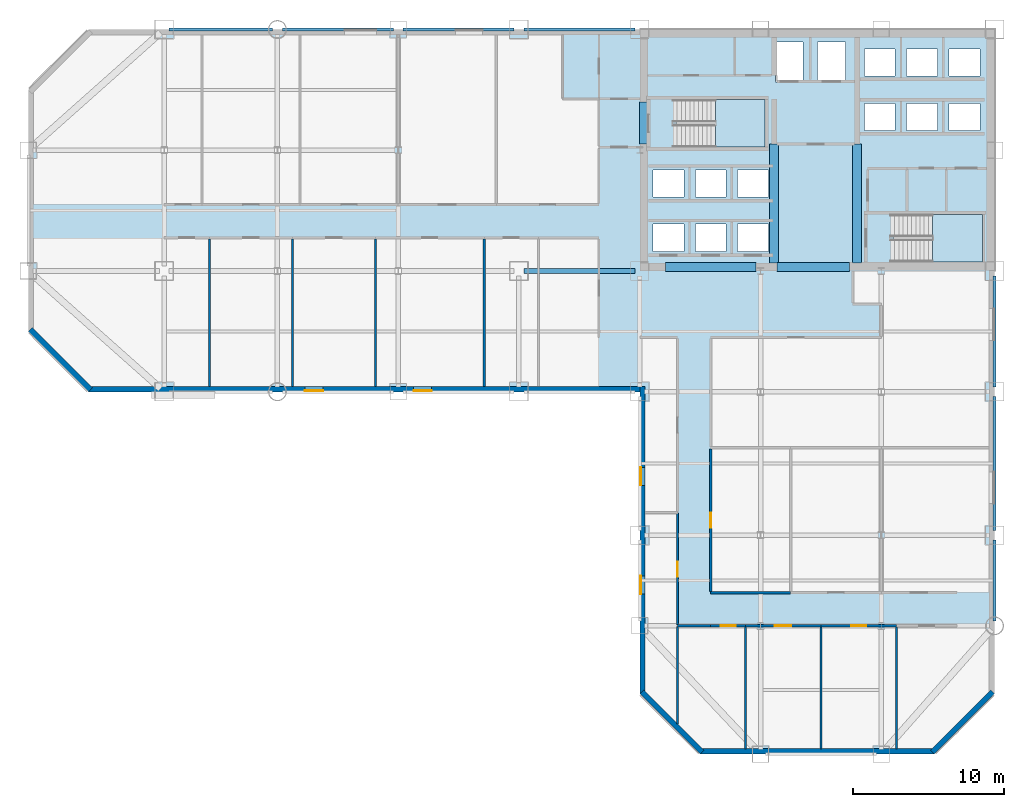
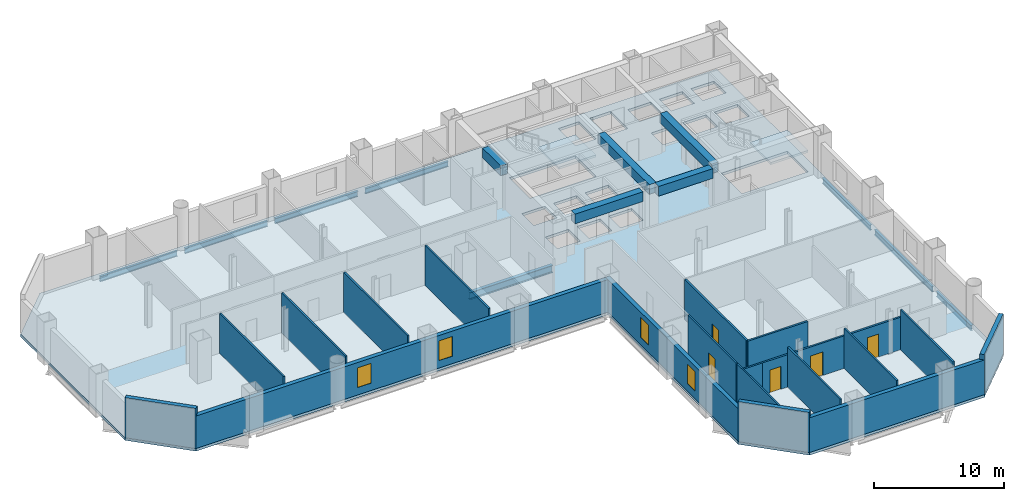
# One storey, part 4 of 9: 21 walls, 13 beams, 5 doors, 4 windows, 3 slabs, 9 openings, 2 elements without a shape of their own.
"""IFC4 building model written with IfcOpenShell, lengths in metres."""

from ifc_helpers import new_model, si_unit, direction, frame, frame_2d, origin, origin_2d, place, context, subcontext, project, spatial, polyline, rectangle, i_section, outline, extrude, material, layer, layer_set, material_profile, profile_set, type_object, element, fill, aggregate, save


model = new_model("IFC4")

# Units and contexts
model_context = context("Model", 3, precision=1e-05, world=origin(), true_north=direction((0.0, 1.0)))
body_context = subcontext(model_context, "Body", "Model", "MODEL_VIEW")
ifc_project = project(units=[si_unit("LENGTHUNIT", "METRE"), si_unit("AREAUNIT", "SQUARE_METRE"), si_unit("VOLUMEUNIT", "CUBIC_METRE"), si_unit("PLANEANGLEUNIT", "RADIAN"), si_unit("MASSUNIT", "GRAM", prefix="KILO")], contexts=[model_context])

# Site, building, storey
site_placement = place(None, origin())
site = spatial("IfcSite", under=ifc_project, at=site_placement, CompositionType="ELEMENT")
building_placement = place(site_placement, origin())
building = spatial("IfcBuilding", under=site, at=building_placement, Name="Qianrong Seaharbour Tower", CompositionType="ELEMENT")
storey_placement = place(building_placement, frame((0.0, 0.0, 92.199951171875)))
storey = spatial("IfcBuildingStorey", under=building, at=storey_placement, Name="L22", CompositionType="ELEMENT", Elevation=92.199951171875)

# Beams
ifc_material_1 = material(Name="Structural steel SN490B", Category="steel")
ifc_material_profile_1 = material_profile(ifc_material_1, i_section(OverallWidth=0.300048828125, OverallDepth=0.699951171875, WebThickness=0.012939453125, FlangeThickness=0.02392578125, FilletRadius=0.02587890625, at=origin_2d()), Name="H700x300x13x24")
ifc_profile_set_1 = profile_set([ifc_material_profile_1], Name="Structural steel SN490B")
beam_type_1 = type_object("IfcBeamType", Name="BM-G-700", PredefinedType="BEAM", material=ifc_profile_set_1)
beam_1_placement = place(storey_placement, frame((32.820068359375, 36.0, -0.599853515625), z_axis=(1.0, 0.0, 0.0), x_axis=(0.0, 1.0, 0.0)))
element("IfcBeam", 1, at=beam_1_placement, inside=storey, type_object=beam_type_1, Name="L22 Primary Girder GF G5-G6", PredefinedType="BEAM", context=body_context, shape_type="SweptSolid", body=[
    extrude(i_section(OverallWidth=0.300048828125, OverallDepth=0.699951171875, WebThickness=0.012939453125, FlangeThickness=0.02392578125, FilletRadius=0.02587890625, at=origin_2d()), origin(), (0.0, 0.0, 1.0), 7.35986328125),
])
ifc_material_2 = material(Name="Concrete C70/85", Category="concrete")
ifc_material_profile_2 = material_profile(ifc_material_2, rectangle(XDim=0.60009765625, YDim=0.89990234375, at=origin_2d()), Name="RC600x900")
ifc_profile_set_2 = profile_set([ifc_material_profile_2], Name="Concrete C70/85")
beam_type_2 = type_object("IfcBeamType", Name="BM-LINTEL-900", PredefinedType="LINTEL", material=ifc_profile_set_2)
beam_2_placement = place(storey_placement, frame((40.77001953125, 44.39990234375, 3.300048828125), z_axis=(0.0, 1.0, 0.0), x_axis=(-1.0, 0.0, 0.0)))
element("IfcBeam", 2, at=beam_2_placement, inside=storey, type_object=beam_type_2, Name="L22 Core Coupling Lintel Beam West", PredefinedType="LINTEL", context=body_context, shape_type="SweptSolid", body=[
    extrude(rectangle(XDim=0.60009765625, YDim=0.89990234375, at=origin_2d()), origin(), (0.0, 0.0, 1.0), 2.800048828125),
])
beam_3_placement = place(storey_placement, frame((42.199951171875, 36.27001953125, 3.300048828125), z_axis=(1.0, 0.0, 0.0), x_axis=(0.0, 1.0, 0.0)))
element("IfcBeam", 3, at=beam_3_placement, inside=storey, type_object=beam_type_2, Name="L22 Core Coupling Lintel Beam CBW", PredefinedType="LINTEL", context=body_context, shape_type="SweptSolid", body=[
    extrude(rectangle(XDim=0.60009765625, YDim=0.89990234375, at=origin_2d()), origin(), (0.0, 0.0, 1.0), 6.0),
])
beam_4_placement = place(storey_placement, frame((49.60009765625, 36.27001953125, 3.300048828125), z_axis=(1.0, 0.0, 0.0), x_axis=(0.0, 1.0, 0.0)))
element("IfcBeam", 4, at=beam_4_placement, inside=storey, type_object=beam_type_2, Name="L22 Core Coupling Lintel Beam CBC", PredefinedType="LINTEL", context=body_context, shape_type="SweptSolid", body=[
    extrude(rectangle(XDim=0.60009765625, YDim=0.89990234375, at=origin_2d()), origin(), (0.0, 0.0, 1.0), 4.7998046875),
])
for number, where, z_axis, x_axis, name in (
    (5, (49.39990234375, 36.5400390625, 3.300048828125), (0.0, 1.0, 0.0), (-1.0, 0.0, 0.0), "L22 Internal Core Coupling Beam IW1"),
    (6, (54.89990234375, 36.5400390625, 3.300048828125), (0.0, 1.0, 0.0), (-1.0, 0.0, 0.0), "L22 Internal Core Coupling Beam IW2"),
):
    element("IfcBeam", number, at=place(storey_placement, frame(where, z_axis=z_axis, x_axis=x_axis)), inside=storey, type_object=beam_type_2, Name=name, PredefinedType="LINTEL", context=body_context, shape_type="SweptSolid", body=[
        extrude(rectangle(XDim=0.60009765625, YDim=0.89990234375, at=origin_2d()), origin(), (0.0, 0.0, 1.0), 7.85986328125),
    ])
ifc_material_profile_3 = material_profile(ifc_material_1, i_section(OverallWidth=0.199951171875, OverallDepth=0.5, WebThickness=0.010009765625, FlangeThickness=0.01611328125, FilletRadius=0.02001953125, at=origin_2d()), Name="H500x200x10x16")
ifc_profile_set_3 = profile_set([ifc_material_profile_3], Name="Structural steel SN490B")
beam_type_3 = type_object("IfcBeamType", Name="BM-SP-500", PredefinedType="SPANDREL", material=ifc_profile_set_3)
beam_5_placement = place(storey_placement, frame((9.320068359375, 52.0, -0.5), z_axis=(1.0, 0.0, 0.0), x_axis=(0.0, 1.0, 0.0)))
element("IfcBeam", 7, at=beam_5_placement, inside=storey, type_object=beam_type_3, Name="L22 Spandrel Girder GH G2-G3", PredefinedType="SPANDREL", context=body_context, shape_type="SweptSolid", body=[
    extrude(i_section(OverallWidth=0.199951171875, OverallDepth=0.5, WebThickness=0.010009765625, FlangeThickness=0.01611328125, FilletRadius=0.02001953125, at=origin_2d()), origin(), (0.0, 0.0, 1.0), 6.85986328125),
])
for number, where, z_axis, x_axis, name in (
    (8, (16.820068359375, 52.0, -0.5), (1.0, 0.0, 0.0), (0.0, 1.0, 0.0), "L22 Spandrel Girder GH G3-G4"),
    (9, (24.820068359375, 52.0, -0.5), (1.0, 0.0, 0.0), (0.0, 1.0, 0.0), "L22 Spandrel Girder GH G4-G5"),
    (10, (32.820068359375, 52.0, -0.5), (1.0, 0.0, 0.0), (0.0, 1.0, 0.0), "L22 Spandrel Girder GH G5-G6"),
):
    element("IfcBeam", number, at=place(storey_placement, frame(where, z_axis=z_axis, x_axis=x_axis)), inside=storey, type_object=beam_type_3, Name=name, PredefinedType="SPANDREL", context=body_context, shape_type="SweptSolid", body=[
        extrude(i_section(OverallWidth=0.199951171875, OverallDepth=0.5, WebThickness=0.010009765625, FlangeThickness=0.01611328125, FilletRadius=0.02001953125, at=origin_2d()), origin(), (0.0, 0.0, 1.0), 7.35986328125),
    ])
beam_6_placement = place(storey_placement, frame((64.0, 12.820068359375, -0.5), z_axis=(0.0, 1.0, 0.0), x_axis=(-1.0, 0.0, 0.0)))
element("IfcBeam", 11, at=beam_6_placement, inside=storey, type_object=beam_type_3, Name="L22 Spandrel Girder G9 GC-GD", PredefinedType="SPANDREL", context=body_context, shape_type="SweptSolid", body=[
    extrude(i_section(OverallWidth=0.199951171875, OverallDepth=0.5, WebThickness=0.010009765625, FlangeThickness=0.01611328125, FilletRadius=0.02001953125, at=origin_2d()), origin(), (0.0, 0.0, 1.0), 5.35986328125),
])
beam_7_placement = place(storey_placement, frame((64.0, 18.820068359375, -0.5), z_axis=(0.0, 1.0, 0.0), x_axis=(-1.0, 0.0, 0.0)))
element("IfcBeam", 12, at=beam_7_placement, inside=storey, type_object=beam_type_3, Name="L22 Spandrel Girder G9 GD-GE", PredefinedType="SPANDREL", context=body_context, shape_type="SweptSolid", body=[
    extrude(i_section(OverallWidth=0.199951171875, OverallDepth=0.5, WebThickness=0.010009765625, FlangeThickness=0.01611328125, FilletRadius=0.02001953125, at=origin_2d()), origin(), (0.0, 0.0, 1.0), 8.85986328125),
])
beam_8_placement = place(storey_placement, frame((64.0, 28.320068359375, -0.5), z_axis=(0.0, 1.0, 0.0), x_axis=(-1.0, 0.0, 0.0)))
element("IfcBeam", 13, at=beam_8_placement, inside=storey, type_object=beam_type_3, Name="L22 Spandrel Girder G9 GE-GF", PredefinedType="SPANDREL", context=body_context, shape_type="SweptSolid", body=[
    extrude(i_section(OverallWidth=0.199951171875, OverallDepth=0.5, WebThickness=0.010009765625, FlangeThickness=0.01611328125, FilletRadius=0.02001953125, at=origin_2d()), origin(), (0.0, 0.0, 1.0), 7.35986328125),
])

# Stair, slab
ifc_material_3 = material(Name="Concrete C50/60", Category="concrete")
stair_type = type_object("IfcStairType", Name="STAIR-DOGLEG-1500-R22", PredefinedType="HALF_TURN_STAIR", material=ifc_material_3)
stair_1_placement = place(storey_placement, origin())
stair_1 = element("IfcStair", 14, at=stair_1_placement, inside=storey, type_object=stair_type, Name="L22 Protected Escape Stair ST-1", PredefinedType="HALF_TURN_STAIR")
ifc_layer_1 = layer(ifc_material_3, 0.199951171875)
ifc_layer_set_1 = layer_set([ifc_layer_1], Name="Concrete C50/60")
slab_type_1 = type_object("IfcSlabType", Name="SLAB-STAIR-LANDING-200", PredefinedType="LANDING", material=ifc_layer_set_1)
slab_1_placement = place(storey_placement, frame((0.0, 0.0, 1.800048828125)))
slab_1 = element("IfcSlab", 15, at=slab_1_placement, type_object=slab_type_1, Name="ST-1 landing 1", PredefinedType="LANDING", context=body_context, shape_type="SweptSolid", body=[
    extrude(outline(polyline([(45.5, 44.199951171875), (48.800048828125, 44.199951171875), (48.800048828125, 47.35009765625), (45.5, 47.35009765625), (45.5, 44.199951171875)])), origin(), (0.0, 0.0, 1.0), 0.199951171875),
])
aggregate(stair_1, [slab_1])

stair_2_placement = place(storey_placement, origin())
stair_2 = element("IfcStair", 16, at=stair_2_placement, inside=storey, type_object=stair_type, Name="L22 Protected Escape Stair ST-2", PredefinedType="HALF_TURN_STAIR")
slab_2_placement = place(storey_placement, frame((0.0, 0.0, 1.800048828125)))
slab_2 = element("IfcSlab", 17, at=slab_2_placement, type_object=slab_type_1, Name="ST-2 landing 1", PredefinedType="LANDING", context=body_context, shape_type="SweptSolid", body=[
    extrude(outline(polyline([(59.89990234375, 36.60009765625), (63.199951171875, 36.60009765625), (63.199951171875, 39.75), (59.89990234375, 39.75), (59.89990234375, 36.60009765625)])), origin(), (0.0, 0.0, 1.0), 0.199951171875),
])
aggregate(stair_2, [slab_2])

# Slab
ifc_layer_2 = layer(ifc_material_3, 0.25)
ifc_layer_set_2 = layer_set([ifc_layer_2], Name="Concrete C50/60")
slab_type_2 = type_object("IfcSlabType", Name="SLAB-Z1-250", PredefinedType="FLOOR", material=ifc_layer_set_2)
slab_3_placement = place(storey_placement, frame((0.0, 0.0, -0.25)))
element("IfcSlab", 18, at=slab_3_placement, inside=storey, type_object=slab_type_2, Name="L22 Structural Floor Slab", PredefinedType="FLOOR", context=body_context, shape_type="SweptSolid", body=[
    extrude(outline(polyline([(44.5, 4.0), (60.0, 4.0), (64.0, 8.0), (64.0, 52.0), (4.0, 52.0), (0.0, 48.0), (0.0, 32.0), (4.0, 28.0), (40.5, 28.0), (40.5, 8.0), (44.5, 4.0)]), holes=[polyline([(42.93994140625, 44.199951171875), (42.93994140625, 47.35009765625), (48.800048828125, 47.35009765625), (48.800048828125, 44.199951171875), (42.93994140625, 44.199951171875)]), polyline([(57.340087890625, 36.60009765625), (57.340087890625, 39.75), (63.199951171875, 39.75), (63.199951171875, 36.60009765625), (57.340087890625, 36.60009765625)]), polyline([(49.47998046875, 48.530029296875), (49.47998046875, 51.169921875), (51.320068359375, 51.169921875), (51.320068359375, 48.530029296875), (49.47998046875, 48.530029296875)]), polyline([(52.280029296875, 48.530029296875), (52.280029296875, 51.169921875), (54.1201171875, 51.169921875), (54.1201171875, 48.530029296875), (52.280029296875, 48.530029296875)]), polyline([(41.3798828125, 37.300048828125), (41.3798828125, 39.10009765625), (43.419921875, 39.10009765625), (43.419921875, 37.300048828125), (41.3798828125, 37.300048828125)]), polyline([(44.179931640625, 37.300048828125), (44.179931640625, 39.10009765625), (46.219970703125, 39.10009765625), (46.219970703125, 37.300048828125), (44.179931640625, 37.300048828125)]), polyline([(46.97998046875, 37.300048828125), (46.97998046875, 39.10009765625), (49.02001953125, 39.10009765625), (49.02001953125, 37.300048828125), (46.97998046875, 37.300048828125)]), polyline([(41.3798828125, 40.89990234375), (41.3798828125, 42.699951171875), (43.419921875, 42.699951171875), (43.419921875, 40.89990234375), (41.3798828125, 40.89990234375)]), polyline([(44.179931640625, 40.89990234375), (44.179931640625, 42.699951171875), (46.219970703125, 42.699951171875), (46.219970703125, 40.89990234375), (44.179931640625, 40.89990234375)]), polyline([(46.97998046875, 40.89990234375), (46.97998046875, 42.699951171875), (49.02001953125, 42.699951171875), (49.02001953125, 40.89990234375), (46.97998046875, 40.89990234375)]), polyline([(55.3798828125, 45.300048828125), (55.3798828125, 47.10009765625), (57.419921875, 47.10009765625), (57.419921875, 45.300048828125), (55.3798828125, 45.300048828125)]), polyline([(58.179931640625, 45.300048828125), (58.179931640625, 47.10009765625), (60.219970703125, 47.10009765625), (60.219970703125, 45.300048828125), (58.179931640625, 45.300048828125)]), polyline([(60.97998046875, 45.300048828125), (60.97998046875, 47.10009765625), (63.02001953125, 47.10009765625), (63.02001953125, 45.300048828125), (60.97998046875, 45.300048828125)]), polyline([(55.3798828125, 48.89990234375), (55.3798828125, 50.699951171875), (57.419921875, 50.699951171875), (57.419921875, 48.89990234375), (55.3798828125, 48.89990234375)]), polyline([(58.179931640625, 48.89990234375), (58.179931640625, 50.699951171875), (60.219970703125, 50.699951171875), (60.219970703125, 48.89990234375), (58.179931640625, 48.89990234375)]), polyline([(60.97998046875, 48.89990234375), (60.97998046875, 50.699951171875), (63.02001953125, 50.699951171875), (63.02001953125, 48.89990234375), (60.97998046875, 48.89990234375)])]), origin(), (0.0, 0.0, 1.0), 0.25),
])

# Wall, opening, door
ifc_material_4 = material(Name="Fire-rated acoustic gypsum board partition")
ifc_layer_3 = layer(ifc_material_4, 0.1650390625)
ifc_layer_set_3 = layer_set([ifc_layer_3], Name="Fire-rated acoustic gypsum board partition")
wall_type_1 = type_object("IfcWallType", Name="WALL-CORR-PART-165", PredefinedType="PARTITIONING", material=ifc_layer_set_3)
wall_1_placement = place(storey_placement, frame((45.199951171875, 24.2255859375, 0.0), z_axis=(0.0, 0.0, 1.0), x_axis=(0.0, -1.0, 0.0)))
wall_1 = element("IfcWall", 19, at=wall_1_placement, inside=storey, type_object=wall_type_1, Name="L22 Interior Partition Wall 036", PredefinedType="PARTITIONING", context=body_context, shape_type="SweptSolid", body=[
    extrude(rectangle(XDim=9.451171875, YDim=0.1650390625, at=frame_2d((4.7255859375, 0.0))), origin(), (0.0, 0.0, 1.0), 3.75),
])
opening_1_placement = place(wall_1_placement, frame((4.2255859375, 0.0, 0.0)))
opening_1 = element("IfcOpeningElement", 20, at=opening_1_placement, cuts=wall_1, Name="Opening DO-01", PredefinedType="OPENING", context=body_context, shape_type="SweptSolid", body=[
    extrude(rectangle(XDim=1.0, YDim=2.14990234375, at=frame_2d((0.5, 1.074951171875))), frame((0.0, 0.092529296875, 0.0), z_axis=(0.0, -1.0, 0.0), x_axis=(1.0, 0.0, 0.0)), (0.0, 0.0, 1.0), 0.18505859375),
])
ifc_material_5 = material(Name="Acoustic timber and galvanized steel fire door assembly", Category="steel")
door_type_1 = type_object("IfcDoorType", Name="DOOR-OFFICE-1000x2150", OperationType="NOTDEFINED", PredefinedType="DOOR", material=ifc_material_5)
door_1_placement = place(opening_1_placement, origin())
door_1 = element("IfcDoor", 21, at=door_1_placement, inside=storey, type_object=door_type_1, Name="L22 Chartering Model Showroom 1 Door", OperationType="SINGLE_SWING_LEFT", OverallHeight=2.14990234375, OverallWidth=1.0, PredefinedType="DOOR", context=body_context, shape_type="SweptSolid", body=[
    extrude(rectangle(XDim=1.0, YDim=2.14990234375, at=frame_2d((0.5, 1.074951171875))), frame((0.0, 0.02490234375, 0.0), z_axis=(0.0, -1.0, 0.0), x_axis=(1.0, 0.0, 0.0)), (0.0, 0.0, 1.0), 0.050048828125),
])
fill(opening_1, door_1)

# Walls
wall_2_placement = place(storey_placement, frame((45.199951171875, 12.5, 0.0), z_axis=(0.0, 0.0, 1.0), x_axis=(-1.0, 0.0, 0.0)))
element("IfcWall", 22, at=wall_2_placement, inside=storey, type_object=wall_type_1, Name="L22 Interior Partition Wall 039", PredefinedType="PARTITIONING", context=body_context, shape_type="SweptSolid", body=[
    extrude(rectangle(XDim=2.199951171875, YDim=0.1650390625, at=frame_2d((1.10009765625, 0.0))), origin(), (0.0, 0.0, 1.0), 3.0419921875),
])
wall_3_placement = place(storey_placement, frame((45.199951171875, 14.699951171875, 0.0), z_axis=(0.0, 0.0, 1.0), x_axis=(1.0, 0.0, 0.0)))
element("IfcWall", 23, at=wall_3_placement, inside=storey, type_object=wall_type_1, Name="L22 Interior Partition Wall 040", PredefinedType="PARTITIONING", context=body_context, shape_type="SweptSolid", body=[
    extrude(rectangle(XDim=5.300048828125, YDim=0.1650390625, at=frame_2d((2.64990234375, 0.0))), origin(), (0.0, 0.0, 1.0), 3.75),
])

# Wall, opening, door
wall_4_placement = place(storey_placement, frame((47.5, 12.5, 0.0), z_axis=(0.0, 0.0, 1.0), x_axis=(-1.0, 0.0, 0.0)))
wall_4 = element("IfcWall", 24, at=wall_4_placement, inside=storey, type_object=wall_type_1, Name="L22 Interior Partition Wall 043", PredefinedType="PARTITIONING", context=body_context, shape_type="SweptSolid", body=[
    extrude(rectangle(XDim=2.300048828125, YDim=0.1650390625, at=frame_2d((1.14990234375, 0.0))), origin(), (0.0, 0.0, 1.0), 3.0419921875),
])
opening_2_placement = place(wall_4_placement, frame((0.64990234375, 0.0, 0.0)))
opening_2 = element("IfcOpeningElement", 25, at=opening_2_placement, cuts=wall_4, Name="Opening DO-01", PredefinedType="OPENING", context=body_context, shape_type="SweptSolid", body=[
    extrude(rectangle(XDim=1.0, YDim=2.14990234375, at=frame_2d((0.5, 1.074951171875))), frame((0.0, 0.092529296875, 0.0), z_axis=(0.0, -1.0, 0.0), x_axis=(1.0, 0.0, 0.0)), (0.0, 0.0, 1.0), 0.18505859375),
])
door_2_placement = place(opening_2_placement, origin())
door_2 = element("IfcDoor", 26, at=door_2_placement, inside=storey, type_object=door_type_1, Name="L22 Harbour Trade Lounge 1 Door", OperationType="SINGLE_SWING_LEFT", OverallHeight=2.14990234375, OverallWidth=1.0, PredefinedType="DOOR", context=body_context, shape_type="SweptSolid", body=[
    extrude(rectangle(XDim=1.0, YDim=2.14990234375, at=frame_2d((0.5, 1.074951171875))), frame((0.0, 0.02490234375, 0.0), z_axis=(0.0, -1.0, 0.0), x_axis=(1.0, 0.0, 0.0)), (0.0, 0.0, 1.0), 0.050048828125),
])
fill(opening_2, door_2)

wall_5_placement = place(storey_placement, frame((52.5, 12.5, 0.0), z_axis=(0.0, 0.0, 1.0), x_axis=(-1.0, 0.0, 0.0)))
wall_5 = element("IfcWall", 27, at=wall_5_placement, inside=storey, type_object=wall_type_1, Name="L22 Interior Partition Wall 044", PredefinedType="PARTITIONING", context=body_context, shape_type="SweptSolid", body=[
    extrude(rectangle(XDim=5.0, YDim=0.1650390625, at=frame_2d((2.5, 0.0))), origin(), (0.0, 0.0, 1.0), 3.0419921875),
])
opening_3_placement = place(wall_5_placement, frame((1.949951171875, 0.0, 0.0)))
opening_3 = element("IfcOpeningElement", 28, at=opening_3_placement, cuts=wall_5, Name="Opening DM-01", PredefinedType="OPENING", context=body_context, shape_type="SweptSolid", body=[
    extrude(rectangle(XDim=1.10009765625, YDim=2.199951171875, at=frame_2d((0.550048828125, 1.10009765625))), frame((0.0, 0.092529296875, 0.0), z_axis=(0.0, -1.0, 0.0), x_axis=(1.0, 0.0, 0.0)), (0.0, 0.0, 1.0), 0.18505859375),
])
door_type_2 = type_object("IfcDoorType", Name="DOOR-MEET-1100x2200", OperationType="NOTDEFINED", PredefinedType="DOOR", material=ifc_material_5)
door_3_placement = place(opening_3_placement, origin())
door_3 = element("IfcDoor", 29, at=door_3_placement, inside=storey, type_object=door_type_2, Name="L22 Contract Signing Room 2 Door", OperationType="SINGLE_SWING_RIGHT", OverallHeight=2.199951171875, OverallWidth=1.10009765625, PredefinedType="DOOR", context=body_context, shape_type="SweptSolid", body=[
    extrude(rectangle(XDim=1.10009765625, YDim=2.199951171875, at=frame_2d((0.550048828125, 1.10009765625))), frame((0.0, 0.02490234375, 0.0), z_axis=(0.0, -1.0, 0.0), x_axis=(1.0, 0.0, 0.0)), (0.0, 0.0, 1.0), 0.050048828125),
])
fill(opening_3, door_3)

wall_6_placement = place(storey_placement, frame((57.5, 12.5, 0.0), z_axis=(0.0, 0.0, 1.0), x_axis=(-1.0, 0.0, 0.0)))
wall_6 = element("IfcWall", 30, at=wall_6_placement, inside=storey, type_object=wall_type_1, Name="L22 Interior Partition Wall 045", PredefinedType="PARTITIONING", context=body_context, shape_type="SweptSolid", body=[
    extrude(rectangle(XDim=5.0, YDim=0.1650390625, at=frame_2d((2.5, 0.0))), origin(), (0.0, 0.0, 1.0), 3.0419921875),
])
opening_4_placement = place(wall_6_placement, frame((2.0, 0.0, 0.0)))
opening_4 = element("IfcOpeningElement", 31, at=opening_4_placement, cuts=wall_6, Name="Opening DO-01", PredefinedType="OPENING", context=body_context, shape_type="SweptSolid", body=[
    extrude(rectangle(XDim=1.0, YDim=2.14990234375, at=frame_2d((0.5, 1.074951171875))), frame((0.0, 0.092529296875, 0.0), z_axis=(0.0, -1.0, 0.0), x_axis=(1.0, 0.0, 0.0)), (0.0, 0.0, 1.0), 0.18505859375),
])
door_4_placement = place(opening_4_placement, origin())
door_4 = element("IfcDoor", 32, at=door_4_placement, inside=storey, type_object=door_type_1, Name="L22 Marine Showcase Showroom 3 Door", OperationType="SINGLE_SWING_LEFT", OverallHeight=2.14990234375, OverallWidth=1.0, PredefinedType="DOOR", context=body_context, shape_type="SweptSolid", body=[
    extrude(rectangle(XDim=1.0, YDim=2.14990234375, at=frame_2d((0.5, 1.074951171875))), frame((0.0, 0.02490234375, 0.0), z_axis=(0.0, -1.0, 0.0), x_axis=(1.0, 0.0, 0.0)), (0.0, 0.0, 1.0), 0.050048828125),
])
fill(opening_4, door_4)

# Wall, openings, windows
ifc_material_6 = material(Name="Unitised red brick on Precast concrete C45/55", Category="masonry")
ifc_layer_4 = layer(ifc_material_6, 0.360107421875)
ifc_layer_set_4 = layer_set([ifc_layer_4], Name="Unitised red brick on Precast concrete C45/55")
wall_type_2 = type_object("IfcWallType", Name="WALL-EXT-BRICK-RED-360", PredefinedType="SOLIDWALL", material=ifc_layer_set_4)
wall_7_placement = place(storey_placement, frame((40.679931640625, 8.0, 0.0), z_axis=(0.0, 0.0, 1.0), x_axis=(0.0, 1.0, 0.0)))
wall_7 = element("IfcWall", 33, at=wall_7_placement, inside=storey, type_object=wall_type_2, Name="L22 Exterior Masonry Facade Wall REENTRANT_WEST", PredefinedType="SOLIDWALL", context=body_context, shape_type="SweptSolid", body=[
    extrude(rectangle(XDim=20.360107421875, YDim=0.360107421875, at=frame_2d((10.18017578125, 0.0))), origin(), (0.0, 0.0, 1.0), 3.050048828125),
])
opening_5_placement = place(wall_7_placement, frame((6.60009765625, 0.0, 0.699951171875)))
opening_5 = element("IfcOpeningElement", 34, at=opening_5_placement, cuts=wall_7, Name="Opening WN-01", PredefinedType="OPENING", context=body_context, shape_type="SweptSolid", body=[
    extrude(rectangle(XDim=1.199951171875, YDim=1.85009765625, at=frame_2d((0.60009765625, 0.925048828125))), frame((0.0, 0.18994140625, 0.0), z_axis=(0.0, -1.0, 0.0), x_axis=(1.0, 0.0, 0.0)), (0.0, 0.0, 1.0), 0.380126953125),
])
opening_6_placement = place(wall_7_placement, frame((13.800048828125, 0.0, 0.699951171875)))
opening_6 = element("IfcOpeningElement", 35, at=opening_6_placement, cuts=wall_7, Name="Opening WN-01", PredefinedType="OPENING", context=body_context, shape_type="SweptSolid", body=[
    extrude(rectangle(XDim=1.199951171875, YDim=1.85009765625, at=frame_2d((0.60009765625, 0.925048828125))), frame((0.0, 0.18994140625, 0.0), z_axis=(0.0, -1.0, 0.0), x_axis=(1.0, 0.0, 0.0)), (0.0, 0.0, 1.0), 0.380126953125),
])
ifc_material_7 = material(Name="Insulated low-e double glazing in thermally broken aluminium 6063-T6 frame", Category="aluminium")
window_type = type_object("IfcWindowType", Name="WIN-PUNCH-1200x1850", PartitioningType="DOUBLE_PANEL_VERTICAL", PredefinedType="WINDOW", material=ifc_material_7)
window_1_placement = place(opening_5_placement, origin())
window_1 = element("IfcWindow", 36, at=window_1_placement, inside=storey, type_object=window_type, Name="L22 Deep-Set Punched Window 00.02", OverallHeight=1.85009765625, OverallWidth=1.199951171875, PartitioningType="DOUBLE_PANEL_VERTICAL", PredefinedType="WINDOW", context=body_context, shape_type="SweptSolid", body=[
    extrude(rectangle(XDim=1.199951171875, YDim=1.85009765625, at=frame_2d((0.60009765625, 0.925048828125))), frame((0.0, 0.150146484375, 0.0), z_axis=(0.0, -1.0, 0.0), x_axis=(1.0, 0.0, 0.0)), (0.0, 0.0, 1.0), 0.06005859375),
])
fill(opening_5, window_1)
window_2_placement = place(opening_6_placement, origin())
window_2 = element("IfcWindow", 37, at=window_2_placement, inside=storey, type_object=window_type, Name="L22 Deep-Set Punched Window 00.04", OverallHeight=1.85009765625, OverallWidth=1.199951171875, PartitioningType="DOUBLE_PANEL_VERTICAL", PredefinedType="WINDOW", context=body_context, shape_type="SweptSolid", body=[
    extrude(rectangle(XDim=1.199951171875, YDim=1.85009765625, at=frame_2d((0.60009765625, 0.925048828125))), frame((0.0, 0.150146484375, 0.0), z_axis=(0.0, -1.0, 0.0), x_axis=(1.0, 0.0, 0.0)), (0.0, 0.0, 1.0), 0.06005859375),
])
fill(opening_6, window_2)

wall_8_placement = place(storey_placement, frame((40.52001953125, 28.179931640625, 0.0), z_axis=(0.0, 0.0, 1.0), x_axis=(-1.0, 0.0, 0.0)))
wall_8 = element("IfcWall", 38, at=wall_8_placement, inside=storey, type_object=wall_type_2, Name="L22 Exterior Masonry Facade Wall HARBOUR_RIBBON", PredefinedType="SOLIDWALL", context=body_context, shape_type="SweptSolid", body=[
    extrude(rectangle(XDim=36.52001953125, YDim=0.360107421875, at=frame_2d((18.260009765625, 0.0))), origin(), (0.0, 0.0, 1.0), 3.050048828125),
])
opening_7_placement = place(wall_8_placement, frame((13.800048828125, 0.0, 0.699951171875)))
opening_7 = element("IfcOpeningElement", 39, at=opening_7_placement, cuts=wall_8, Name="Opening WN-01", PredefinedType="OPENING", context=body_context, shape_type="SweptSolid", body=[
    extrude(rectangle(XDim=1.199951171875, YDim=1.85009765625, at=frame_2d((0.60009765625, 0.925048828125))), frame((0.0, 0.18994140625, 0.0), z_axis=(0.0, -1.0, 0.0), x_axis=(1.0, 0.0, 0.0)), (0.0, 0.0, 1.0), 0.380126953125),
])
opening_8_placement = place(wall_8_placement, frame((21.0, 0.0, 0.699951171875)))
opening_8 = element("IfcOpeningElement", 40, at=opening_8_placement, cuts=wall_8, Name="Opening WN-01", PredefinedType="OPENING", context=body_context, shape_type="SweptSolid", body=[
    extrude(rectangle(XDim=1.199951171875, YDim=1.85009765625, at=frame_2d((0.60009765625, 0.925048828125))), frame((0.0, 0.18994140625, 0.0), z_axis=(0.0, -1.0, 0.0), x_axis=(1.0, 0.0, 0.0)), (0.0, 0.0, 1.0), 0.380126953125),
])
window_3_placement = place(opening_7_placement, origin())
window_3 = element("IfcWindow", 41, at=window_3_placement, inside=storey, type_object=window_type, Name="L22 Deep-Set Punched Window 01.04", OverallHeight=1.85009765625, OverallWidth=1.199951171875, PartitioningType="DOUBLE_PANEL_VERTICAL", PredefinedType="WINDOW", context=body_context, shape_type="SweptSolid", body=[
    extrude(rectangle(XDim=1.199951171875, YDim=1.85009765625, at=frame_2d((0.60009765625, 0.925048828125))), frame((0.0, 0.150146484375, 0.0), z_axis=(0.0, -1.0, 0.0), x_axis=(1.0, 0.0, 0.0)), (0.0, 0.0, 1.0), 0.06005859375),
])
fill(opening_7, window_3)
window_4_placement = place(opening_8_placement, origin())
window_4 = element("IfcWindow", 42, at=window_4_placement, inside=storey, type_object=window_type, Name="L22 Deep-Set Punched Window 01.06", OverallHeight=1.85009765625, OverallWidth=1.199951171875, PartitioningType="DOUBLE_PANEL_VERTICAL", PredefinedType="WINDOW", context=body_context, shape_type="SweptSolid", body=[
    extrude(rectangle(XDim=1.199951171875, YDim=1.85009765625, at=frame_2d((0.60009765625, 0.925048828125))), frame((0.0, 0.150146484375, 0.0), z_axis=(0.0, -1.0, 0.0), x_axis=(1.0, 0.0, 0.0)), (0.0, 0.0, 1.0), 0.06005859375),
])
fill(opening_8, window_4)

# Walls
for number, where, z_axis, x_axis, name in (
    (43, (4.127197265625, 28.127197265625, 0.0), (0.0, 0.0, 1.0), (-0.707106781187, 0.707106781187, 0.0), "L22 Exterior Masonry Facade Wall E02"),
    (44, (63.872802734375, 8.127197265625, 0.0), (0.0, 0.0, 1.0), (-0.707106781187, -0.707106781187, 0.0), "L22 Exterior Masonry Facade Wall E07"),
):
    element("IfcWall", number, at=place(storey_placement, frame(where, z_axis=z_axis, x_axis=x_axis)), inside=storey, type_object=wall_type_2, Name=name, PredefinedType="SOLIDWALL", context=body_context, shape_type="SweptSolid", body=[
        extrude(rectangle(XDim=5.65673828125, YDim=0.360107421875, at=frame_2d((2.828369140625, 0.0))), origin(), (0.0, 0.0, 1.0), 3.75),
    ])
wall_9_placement = place(storey_placement, frame((60.0, 4.179931640625, 0.0), z_axis=(0.0, 0.0, 1.0), x_axis=(-1.0, 0.0, 0.0)))
element("IfcWall", 45, at=wall_9_placement, inside=storey, type_object=wall_type_2, Name="L22 Exterior Masonry Facade Wall SOUTH_TIP", PredefinedType="SOLIDWALL", context=body_context, shape_type="SweptSolid", body=[
    extrude(rectangle(XDim=15.5, YDim=0.360107421875, at=frame_2d((7.75, 0.0))), origin(), (0.0, 0.0, 1.0), 3.25),
])
wall_10_placement = place(storey_placement, frame((44.627197265625, 4.127197265625, 0.0), z_axis=(0.0, 0.0, 1.0), x_axis=(-0.707106781187, 0.707106781187, 0.0)))
element("IfcWall", 46, at=wall_10_placement, inside=storey, type_object=wall_type_2, Name="L22 Exterior Masonry Facade Wall E09", PredefinedType="SOLIDWALL", context=body_context, shape_type="SweptSolid", body=[
    extrude(rectangle(XDim=5.65673828125, YDim=0.360107421875, at=frame_2d((2.828369140625, 0.0))), origin(), (0.0, 0.0, 1.0), 3.75),
])
ifc_material_8 = material(Name="Acoustic gypsum board stud partition")
ifc_layer_5 = layer(ifc_material_8, 0.14501953125)
ifc_layer_set_5 = layer_set([ifc_layer_5], Name="Acoustic gypsum board stud partition")
wall_type_3 = type_object("IfcWallType", Name="WALL-OFFICE-PART-145", PredefinedType="PARTITIONING", material=ifc_layer_set_5)
for number, where, z_axis, x_axis, name in (
    (47, (12.0, 38.12548828125, 0.0), (0.0, 0.0, 1.0), (0.0, -1.0, 0.0), "L22 Interior Partition Wall 056"),
    (48, (17.5, 38.12548828125, 0.0), (0.0, 0.0, 1.0), (0.0, -1.0, 0.0), "L22 Interior Partition Wall 057"),
    (49, (23.0, 38.12548828125, 0.0), (0.0, 0.0, 1.0), (0.0, -1.0, 0.0), "L22 Interior Partition Wall 058"),
    (50, (30.199951171875, 38.12548828125, 0.0), (0.0, 0.0, 1.0), (0.0, -1.0, 0.0), "L22 Interior Partition Wall 059"),
):
    element("IfcWall", number, at=place(storey_placement, frame(where, z_axis=z_axis, x_axis=x_axis)), inside=storey, type_object=wall_type_3, Name=name, PredefinedType="PARTITIONING", context=body_context, shape_type="SweptSolid", body=[
        extrude(rectangle(XDim=9.7734375, YDim=0.14501953125, at=frame_2d((4.88671875, 0.0))), origin(), (0.0, 0.0, 1.0), 3.75),
    ])
for number, where, z_axis, x_axis, name in (
    (51, (47.5, 12.425537109375, 0.0), (0.0, 0.0, 1.0), (0.0, -1.0, 0.0), "L22 Interior Partition Wall 063"),
    (52, (52.5, 12.425537109375, 0.0), (0.0, 0.0, 1.0), (0.0, -1.0, 0.0), "L22 Interior Partition Wall 064"),
    (53, (57.5, 12.425537109375, 0.0), (0.0, 0.0, 1.0), (0.0, -1.0, 0.0), "L22 Interior Partition Wall 065"),
):
    element("IfcWall", number, at=place(storey_placement, frame(where, z_axis=z_axis, x_axis=x_axis)), inside=storey, type_object=wall_type_3, Name=name, PredefinedType="PARTITIONING", context=body_context, shape_type="SweptSolid", body=[
        extrude(rectangle(XDim=8.073486328125, YDim=0.14501953125, at=frame_2d((4.03662109375, 0.0))), origin(), (0.0, 0.0, 1.0), 3.75),
    ])

# Wall, opening, door
ifc_material_9 = material(Name="Water-resistant cement board sanitary partition")
ifc_layer_6 = layer(ifc_material_9, 0.1298828125)
ifc_layer_set_6 = layer_set([ifc_layer_6], Name="Water-resistant cement board sanitary partition")
wall_type_4 = type_object("IfcWallType", Name="WALL-WET-PART-130", PredefinedType="PARTITIONING", material=ifc_layer_set_6)
wall_11_placement = place(storey_placement, frame((43.0, 12.574462890625, 0.0), z_axis=(0.0, 0.0, 1.0), x_axis=(0.0, 1.0, 0.0)))
wall_11 = element("IfcWall", 54, at=wall_11_placement, inside=storey, type_object=wall_type_4, Name="L22 Interior Partition Wall 037", PredefinedType="PARTITIONING", context=body_context, shape_type="SweptSolid", body=[
    extrude(rectangle(XDim=7.36865234375, YDim=0.1298828125, at=frame_2d((3.684326171875, 0.0))), origin(), (0.0, 0.0, 1.0), 3.75),
])
opening_9_placement = place(wall_11_placement, frame((3.184326171875, 0.0, 0.0)))
opening_9 = element("IfcOpeningElement", 55, at=opening_9_placement, cuts=wall_11, Name="Opening DO-01", PredefinedType="OPENING", context=body_context, shape_type="SweptSolid", body=[
    extrude(rectangle(XDim=1.0, YDim=2.14990234375, at=frame_2d((0.5, 1.074951171875))), frame((0.0, 0.074951171875, 0.0), z_axis=(0.0, -1.0, 0.0), x_axis=(1.0, 0.0, 0.0)), (0.0, 0.0, 1.0), 0.14990234375),
])
door_5_placement = place(opening_9_placement, origin())
door_5 = element("IfcDoor", 56, at=door_5_placement, inside=storey, type_object=door_type_1, Name="L22 Wet Pantry 1 Door", OperationType="SINGLE_SWING_LEFT", OverallHeight=2.14990234375, OverallWidth=1.0, PredefinedType="DOOR", context=body_context, shape_type="SweptSolid", body=[
    extrude(rectangle(XDim=1.0, YDim=2.14990234375, at=frame_2d((0.5, 1.074951171875))), frame((0.0, 0.02490234375, 0.0), z_axis=(0.0, -1.0, 0.0), x_axis=(1.0, 0.0, 0.0)), (0.0, 0.0, 1.0), 0.050048828125),
])
fill(opening_9, door_5)

# Wall
wall_12_placement = place(storey_placement, frame((43.0, 12.425537109375, 0.0), z_axis=(0.0, 0.0, 1.0), x_axis=(0.0, -1.0, 0.0)))
element("IfcWall", 57, at=wall_12_placement, inside=storey, type_object=wall_type_4, Name="L22 Interior Partition Wall 062", PredefinedType="PARTITIONING", context=body_context, shape_type="SweptSolid", body=[
    extrude(rectangle(XDim=6.427734375, YDim=0.1298828125, at=frame_2d((3.2138671875, 0.0))), origin(), (0.0, 0.0, 1.0), 3.75),
])

save(model, "model.ifc")
